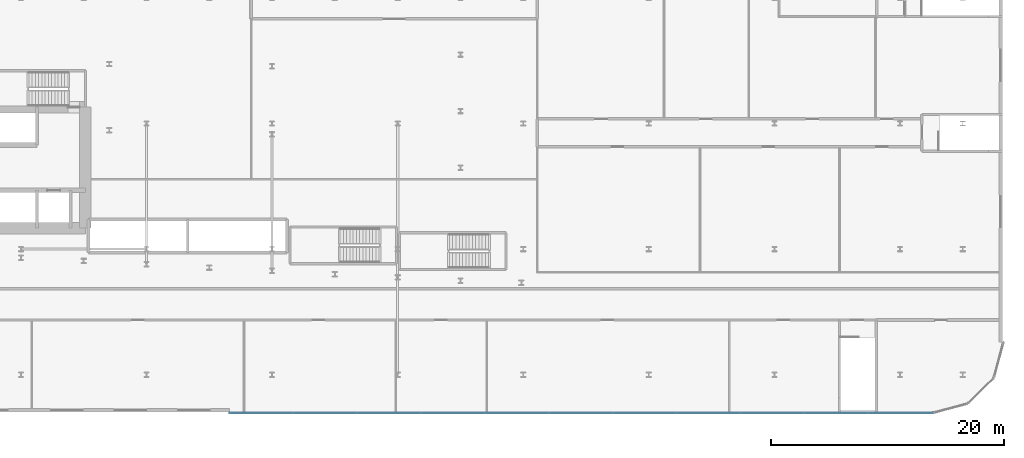
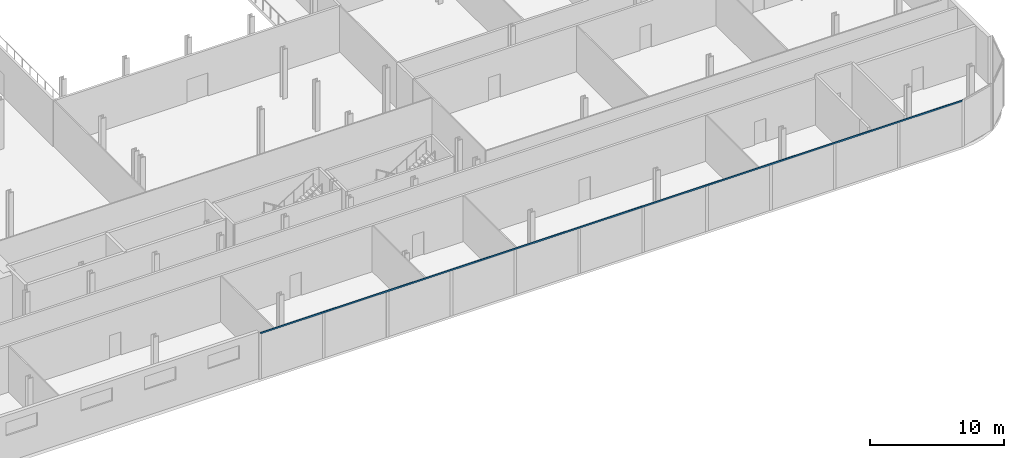
# One storey, part 11 of 43: 1 member, 1 element without a shape of its own.
"""IFC4 building model written with IfcOpenShell, lengths in metres."""

from ifc_helpers import new_model, si_unit, direction, frame, origin, origin_2d, place, context, subcontext, project, spatial, rectangle, extrude, material, layer, layer_set, material_profile, profile_set, type_object, element, aggregate, save


model = new_model("IFC4")

# Units and contexts
model_context = context("Model", 3, precision=1e-05, world=origin(), true_north=direction((0.0, 1.0)))
body_context = subcontext(model_context, "Body", "Model", "MODEL_VIEW")
ifc_project = project(units=[si_unit("LENGTHUNIT", "METRE"), si_unit("AREAUNIT", "SQUARE_METRE"), si_unit("VOLUMEUNIT", "CUBIC_METRE"), si_unit("PLANEANGLEUNIT", "RADIAN"), si_unit("MASSUNIT", "GRAM", prefix="KILO")], contexts=[model_context])

# Site, building, storey
site_placement = place(None, origin())
site = spatial("IfcSite", under=ifc_project, at=site_placement, CompositionType="ELEMENT")
building_placement = place(site_placement, origin())
building = spatial("IfcBuilding", under=site, at=building_placement, Name="Kheshtan School and Residences Tower", CompositionType="ELEMENT")
storey_placement = place(building_placement, frame((0.0, 0.0, 26.0)))
storey = spatial("IfcBuildingStorey", under=building, at=storey_placement, Name="L05", CompositionType="ELEMENT", Elevation=26.0)

# Curtain wall, member
ifc_material_1 = material(Name="Clear low-e glass in thermally broken aluminium frame", Category="aluminium")
ifc_layer = layer(ifc_material_1, 0.22509765625)
ifc_layer_set = layer_set([ifc_layer], Name="Curtain wall CW-P")
curtain_wall_type = type_object("IfcCurtainWallType", Name="Curtain wall CW-P", PredefinedType="NOTDEFINED", material=ifc_layer_set)
curtain_wall_placement = place(storey_placement, origin())
curtain_wall = element("IfcCurtainWall", 1, at=curtain_wall_placement, inside=storey, type_object=curtain_wall_type, Name="Curtain wall CWP12a", PredefinedType="NOTDEFINED")
ifc_material_2 = material(Name="Thermally broken aluminium, dark bronze anodised", Category="aluminium")
ifc_material_profile = material_profile(ifc_material_2, rectangle(XDim=0.06005859375, YDim=0.139892578125, at=origin_2d()), Name="CW-P transom 60x140")
ifc_profile_set = profile_set([ifc_material_profile], Name="Thermally broken aluminium, dark bronze anodised")
member_type = type_object("IfcMemberType", Name="CW-P transom 60x140", PredefinedType="USERDEFINED", material=ifc_profile_set)
member_placement = place(storey_placement, frame((126.02490234375, 9.89990234375, 4.179931640625), z_axis=(-1.0, 0.0, 0.0), x_axis=(0.0, -1.0, 0.0)))
member = element("IfcMember", 2, at=member_placement, type_object=member_type, Name="CWP12a transom 1", ObjectType="TRANSOM", PredefinedType="USERDEFINED", context=body_context, shape_type="SweptSolid", body=[
    extrude(rectangle(XDim=0.06005859375, YDim=0.139892578125, at=origin_2d()), origin(), (0.0, 0.0, 1.0), 60.44482421875),
])
aggregate(curtain_wall, [member])

save(model, "model.ifc")
